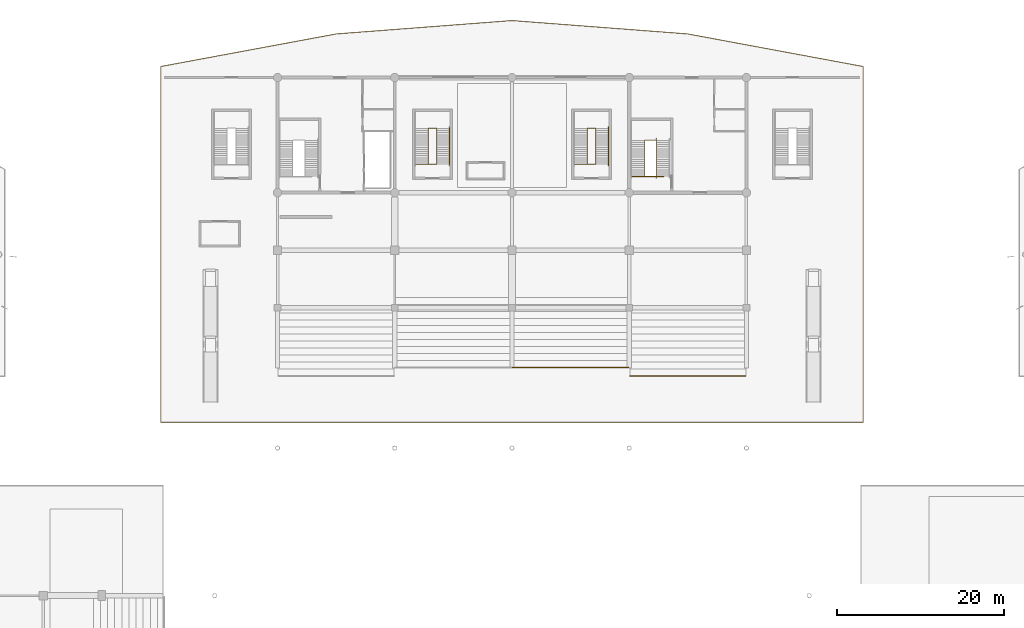
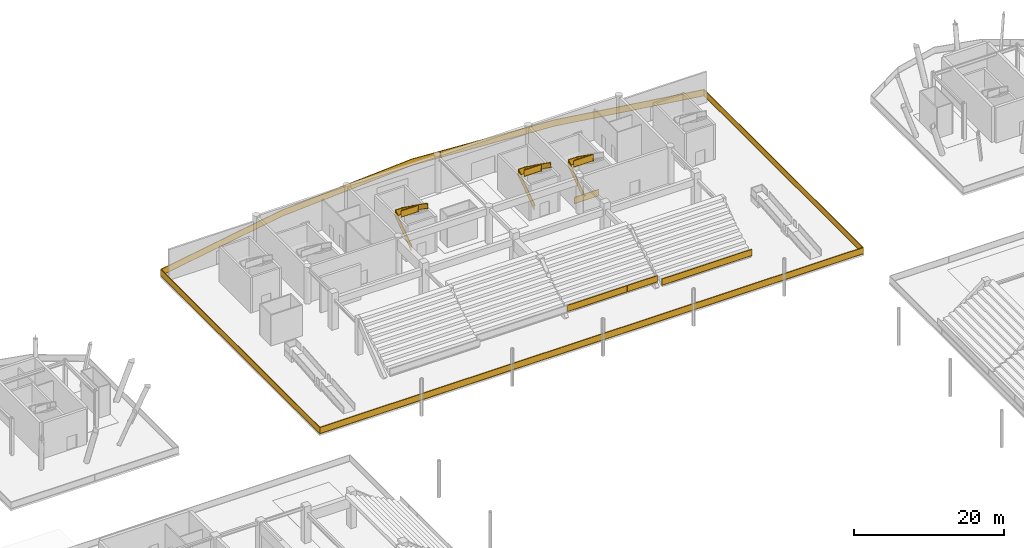
# One storey, part 70 of 73: 9 railings.
"""IFC4 building model written with IfcOpenShell, lengths in metres."""

import ifcopenshell
import ifcopenshell.guid

model = None  # the IFC model being written
_history = None  # IfcOwnerHistory: only IFC2X3 demands one
_inside = {}  # id of a spatial element -> (the spatial element, [elements in it])
_under = {}  # id of a project, library or spatial element -> (it, [spatial elements below it])
_declared = {}  # id of a project -> (the project, [libraries it declares])
_typed = {}  # id of a type object -> (the type object, [elements of that type])
_made_of = {}  # id of a material, layer set ... -> (it, [elements and type objects made of it])


def new_model(schema):
    """Start an empty IFC model of exactly this schema.

    Asked for "IFC4X3", IfcOpenShell would pick the latest addendum, in which some entities
    have other attributes; the version numbers below select the first issue.
    IFC2X3 requires an IfcOwnerHistory on every rooted entity: one is made here for all.
    """
    global model, _history
    if schema == "IFC4X3":
        model = ifcopenshell.file(schema_version=(4, 3, 0, 0))
    else:
        model = ifcopenshell.file(schema=schema)
    _inside.clear()
    _under.clear()
    _declared.clear()
    _typed.clear()
    _made_of.clear()
    _history = None
    if model.schema == "IFC2X3":
        org = make("IfcOrganization", Name="unknown")
        user = make(
            "IfcPersonAndOrganization",
            ThePerson=make("IfcPerson", FamilyName="unknown"),
            TheOrganization=org,
        )
        app = make(
            "IfcApplication",
            ApplicationDeveloper=org,
            Version="unknown",
            ApplicationFullName="unknown",
            ApplicationIdentifier="unknown",
        )
        _history = make(
            "IfcOwnerHistory",
            OwningUser=user,
            OwningApplication=app,
            ChangeAction="ADDED",
            CreationDate=0,
        )
    return model


def make(cls, **values):
    """One entity of the class cls with the attributes given. An attribute that is None is left unset."""
    return model.create_entity(
        cls, **{name: value for name, value in values.items() if value is not None}
    )


def rooted(cls, **values):
    """An entity with a GlobalId (a new one), such as an element, a storey or a relation."""
    return make(cls, GlobalId=ifcopenshell.guid.new(), OwnerHistory=_history, **values)


def si_unit(unit_type, name, prefix=None):
    """IfcSIUnit, for example si_unit("LENGTHUNIT", "METRE", prefix="MILLI")."""
    return make("IfcSIUnit", UnitType=unit_type, Prefix=prefix, Name=name)


def assignment(units):
    """IfcUnitAssignment: the units of a project."""
    return None if units is None else make("IfcUnitAssignment", Units=units)


def point(xyz):
    """IfcCartesianPoint."""
    return None if xyz is None else make("IfcCartesianPoint", Coordinates=xyz)


def direction(xyz):
    """IfcDirection."""
    return None if xyz is None else make("IfcDirection", DirectionRatios=xyz)


def frame(location, z_axis=None, x_axis=None):
    """IfcAxis2Placement3D, a coordinate frame: its origin and axes. An axis left out is left unset."""
    return make(
        "IfcAxis2Placement3D",
        Location=point(location),
        Axis=direction(z_axis),
        RefDirection=direction(x_axis),
    )


def frame_2d(location, x_axis=None):
    """IfcAxis2Placement2D, a coordinate frame in the plane: its origin and x axis."""
    return make(
        "IfcAxis2Placement2D", Location=point(location), RefDirection=direction(x_axis)
    )


def origin():
    """The frame at (0, 0, 0) with its axes left unset."""
    return frame((0.0, 0.0, 0.0))


def origin_2d():
    """The frame at (0, 0) in the plane with its x axis left unset."""
    return frame_2d((0.0, 0.0))


def place(relative_to, where):
    """IfcLocalPlacement: puts the frame where relative to a parent placement (None: the world)."""
    return make(
        "IfcLocalPlacement", PlacementRelTo=relative_to, RelativePlacement=where
    )


def context(
    kind, dimensions, precision=None, world=None, true_north=None, identifier=None
):
    """IfcGeometricRepresentationContext, for example the 3D "Model" context."""
    return make(
        "IfcGeometricRepresentationContext",
        ContextIdentifier=identifier,
        ContextType=kind,
        CoordinateSpaceDimension=dimensions,
        Precision=precision,
        WorldCoordinateSystem=world,
        TrueNorth=true_north,
    )


def subcontext(parent, identifier, kind, view, scale=None):
    """IfcGeometricRepresentationSubContext, for example "Body" below "Model"."""
    return make(
        "IfcGeometricRepresentationSubContext",
        ContextIdentifier=identifier,
        ContextType=kind,
        ParentContext=parent,
        TargetScale=scale,
        TargetView=view,
    )


def project(units=None, contexts=None):
    """IfcProject with its units and contexts."""
    return rooted(
        "IfcProject",
        Name="project",
        RepresentationContexts=contexts,
        UnitsInContext=assignment(units),
    )


def spatial(cls, under=None, at=None, **own):
    """A site, building, storey or space (cls), placed at a placement, below another one or the project."""
    s = rooted(cls, ObjectPlacement=at, **own)
    if under is not None:
        _under.setdefault(under.id(), (under, []))[1].append(s)
    return s


def profile(cls, at=None, kind="AREA", **sizes):
    """A parametric profile (cls). Its sizes go by their IFC names, for example OverallWidth=200.0."""
    return make(cls, ProfileType=kind, Position=at, **sizes)


def rectangle(**sizes):
    """IfcRectangleProfileDef."""
    return profile("IfcRectangleProfileDef", **sizes)


def extrude(swept, where, along, depth):
    """IfcExtrudedAreaSolid: the profile swept, set in the frame where, extruded along a direction by depth."""
    return make(
        "IfcExtrudedAreaSolid",
        SweptArea=swept,
        Position=where,
        ExtrudedDirection=direction(along),
        Depth=depth,
    )


def shape(context_of_items, identifier, shape_type, items):
    """IfcShapeRepresentation: the items that make up one representation, for example the "Body"."""
    return make(
        "IfcShapeRepresentation",
        ContextOfItems=context_of_items,
        RepresentationIdentifier=identifier,
        RepresentationType=shape_type,
        Items=items,
    )


def material(Name=None, Category=None):
    """IfcMaterial."""
    return make("IfcMaterial", Name=Name, Category=Category)


def made_of(thing, what):
    """Note that an element or type object is made of a material, layer set ...; save() writes the relation."""
    if what is not None:
        _made_of.setdefault(what.id(), (what, []))[1].append(thing)
    return thing


def type_object(cls, material=None, **own):
    """A type object (cls), such as IfcWallType, which elements share."""
    return made_of(rooted(cls, **own), material)


def element(
    cls,
    number,
    at=None,
    inside=None,
    cuts=None,
    type_object=None,
    material=None,
    context=None,
    identifier="Body",
    shape_type=None,
    held_by="IfcProductDefinitionShape",
    body=None,
    shapes=None,
    **own,
):
    """One element of the class cls, such as IfcWall. Its Tag is "e" and its number.

    at: its placement. inside: the storey or other place that contains it. cuts: it is an
    opening in that element (IfcRelVoidsElement). A single representation is given by context,
    identifier, shape_type and body (its items); several are given by shapes. held_by: the class
    of the entity that holds the representations. save() writes the other relations.
    """
    e = rooted(cls, Tag="e%d" % number, ObjectPlacement=at, **own)
    if body is not None:
        shapes = [shape(context, identifier, shape_type, body)]
    if shapes is not None:
        e.Representation = make(held_by, Representations=shapes)
    if inside is not None:
        _inside.setdefault(inside.id(), (inside, []))[1].append(e)
    if cuts is not None:
        rooted(
            "IfcRelVoidsElement", RelatingBuildingElement=cuts, RelatedOpeningElement=e
        )
    if type_object is not None:
        _typed.setdefault(type_object.id(), (type_object, []))[1].append(e)
    return made_of(e, material)


def aggregate(whole, parts):
    """IfcRelAggregates: a whole, such as a stair, and the parts it consists of."""
    return rooted("IfcRelAggregates", RelatingObject=whole, RelatedObjects=parts)


def save(model, path):
    """Write the relations noted so far, then the file.

    IfcRelAggregates (storeys below a building ...), IfcRelContainedInSpatialStructure (elements
    in a storey), IfcRelDefinesByType, IfcRelAssociatesMaterial and IfcRelDeclares: one each for
    every whole, place, type object, material and project.
    """
    for whole, parts in _under.values():
        aggregate(whole, parts)
    for where, things in _inside.values():
        rooted(
            "IfcRelContainedInSpatialStructure",
            RelatedElements=things,
            RelatingStructure=where,
        )
    for kind, things in _typed.values():
        rooted("IfcRelDefinesByType", RelatedObjects=things, RelatingType=kind)
    for what, things in _made_of.values():
        rooted("IfcRelAssociatesMaterial", RelatedObjects=things, RelatingMaterial=what)
    for by, libraries in _declared.values():
        rooted("IfcRelDeclares", RelatingContext=by, RelatedDefinitions=libraries)
    model.write(path)


model = new_model("IFC4")

# Units and contexts
model_context = context("Model", 3, precision=1e-05, world=origin(), true_north=direction((0.0, 1.0)))
body_context = subcontext(model_context, "Body", "Model", "MODEL_VIEW")
ifc_project = project(units=[si_unit("LENGTHUNIT", "METRE"), si_unit("AREAUNIT", "SQUARE_METRE"), si_unit("VOLUMEUNIT", "CUBIC_METRE"), si_unit("PLANEANGLEUNIT", "RADIAN"), si_unit("MASSUNIT", "GRAM", prefix="KILO")], contexts=[model_context])

# Site, building, storey
site_placement = place(None, origin())
site = spatial("IfcSite", under=ifc_project, at=site_placement, CompositionType="ELEMENT")
building_placement = place(site_placement, origin())
building = spatial("IfcBuilding", under=site, at=building_placement, Name="Linyun Crest Stadium", CompositionType="ELEMENT")
storey_placement = place(building_placement, origin())
storey = spatial("IfcBuildingStorey", under=building, at=storey_placement, Name="L01", CompositionType="ELEMENT", Elevation=0.0)

# Railings
ifc_material_1 = material(Name="Galvanized and powder-coated steel bowl safety barrier", Category="steel")
railing_type_1 = type_object("IfcRailingType", Name="GR02", PredefinedType="GUARDRAIL", material=ifc_material_1)
for number, where, name in (
    (1, (0.080078125, 70.60009765625, 1.25), "Bowl front safety guard GR02 71"),
    (2, (14.080078125, 69.60009765625, 1.25), "Bowl front safety guard GR02 78"),
):
    element("IfcRailing", number, at=place(storey_placement, frame(where)), inside=storey, type_object=railing_type_1, Name=name, PredefinedType="GUARDRAIL", context=body_context, shape_type="SweptSolid", body=[
        extrude(rectangle(XDim=0.06005859375, YDim=0.06005859375, at=origin_2d()), frame((0.0, 0.0, 1.090087890625), z_axis=(1.0, 0.0, 0.0), x_axis=(0.0, 1.0, 0.0)), (0.0, 0.0, 1.0), 13.83984375),
        extrude(rectangle(XDim=0.030029296875, YDim=1.0, at=origin_2d()), frame((0.0, 0.0, 0.56005859375), z_axis=(1.0, 0.0, 0.0), x_axis=(0.0, 1.0, 0.0)), (0.0, 0.0, 1.0), 13.83984375),
        extrude(rectangle(XDim=0.06005859375, YDim=0.06005859375, at=origin_2d()), frame((0.0, 0.0, 0.030029296875), z_axis=(1.0, 0.0, 0.0), x_axis=(0.0, 1.0, 0.0)), (0.0, 0.0, 1.0), 13.83984375),
        extrude(rectangle(XDim=0.050048828125, YDim=0.050048828125, at=origin_2d()), origin(), (0.0, 0.0, 1.0), 1.1201171875),
        extrude(rectangle(XDim=0.050048828125, YDim=0.050048828125, at=origin_2d()), frame((2.306640625, 0.0, 0.0)), (0.0, 0.0, 1.0), 1.1201171875),
        extrude(rectangle(XDim=0.050048828125, YDim=0.050048828125, at=origin_2d()), frame((4.61328125, 0.0, 0.0)), (0.0, 0.0, 1.0), 1.1201171875),
        extrude(rectangle(XDim=0.050048828125, YDim=0.050048828125, at=origin_2d()), frame((6.919921875, 0.0, 0.0)), (0.0, 0.0, 1.0), 1.1201171875),
        extrude(rectangle(XDim=0.050048828125, YDim=0.050048828125, at=origin_2d()), frame((9.2265625, 0.0, 0.0)), (0.0, 0.0, 1.0), 1.1201171875),
        extrude(rectangle(XDim=0.050048828125, YDim=0.050048828125, at=origin_2d()), frame((11.533203125, 0.0, 0.0)), (0.0, 0.0, 1.0), 1.1201171875),
        extrude(rectangle(XDim=0.050048828125, YDim=0.050048828125, at=origin_2d()), frame((13.83984375, 0.0, 0.0)), (0.0, 0.0, 1.0), 1.1201171875),
    ])
railing_1_placement = place(storey_placement, frame((-41.93994140625, 64.06005859375, 0.0)))
element("IfcRailing", 3, at=railing_1_placement, inside=storey, type_object=railing_type_1, Name="Slab edge balustrade GR02 191", PredefinedType="GUARDRAIL", context=body_context, shape_type="SweptSolid", body=[
    extrude(rectangle(XDim=0.06005859375, YDim=0.06005859375, at=origin_2d()), frame((0.0, 0.0, 1.090087890625), z_axis=(0.0, 1.0, 0.0), x_axis=(-1.0, 0.0, 0.0)), (0.0, 0.0, 1.0), 42.514892578125),
    extrude(rectangle(XDim=0.030029296875, YDim=1.0, at=origin_2d()), frame((0.0, 0.0, 0.56005859375), z_axis=(0.0, 1.0, 0.0), x_axis=(-1.0, 0.0, 0.0)), (0.0, 0.0, 1.0), 42.514892578125),
    extrude(rectangle(XDim=0.06005859375, YDim=0.06005859375, at=origin_2d()), frame((0.0, 0.0, 0.030029296875), z_axis=(0.0, 1.0, 0.0), x_axis=(-1.0, 0.0, 0.0)), (0.0, 0.0, 1.0), 42.514892578125),
    extrude(rectangle(XDim=0.06005859375, YDim=0.06005859375, at=origin_2d()), frame((0.0, 42.514892578125, 1.090087890625), z_axis=(0.983190469869, 0.182582857789, 0.0), x_axis=(-0.182582857789, 0.983190469869, 0.0)), (0.0, 0.0, 1.0), 21.30615234375),
    extrude(rectangle(XDim=0.030029296875, YDim=1.0, at=origin_2d()), frame((0.0, 42.514892578125, 0.56005859375), z_axis=(0.983190469869, 0.182582857789, 0.0), x_axis=(-0.182582857789, 0.983190469869, 0.0)), (0.0, 0.0, 1.0), 21.30615234375),
    extrude(rectangle(XDim=0.06005859375, YDim=0.06005859375, at=origin_2d()), frame((0.0, 42.514892578125, 0.030029296875), z_axis=(0.983190469869, 0.182582857789, 0.0), x_axis=(-0.182582857789, 0.983190469869, 0.0)), (0.0, 0.0, 1.0), 21.30615234375),
    extrude(rectangle(XDim=0.06005859375, YDim=0.06005859375, at=origin_2d()), frame((20.947998046875, 46.405029296875, 1.090087890625), z_axis=(0.997108399711, 0.075992362947, 0.0), x_axis=(-0.075992362947, 0.997108399711, 0.0)), (0.0, 0.0, 1.0), 21.052734375),
    extrude(rectangle(XDim=0.030029296875, YDim=1.0, at=origin_2d()), frame((20.947998046875, 46.405029296875, 0.56005859375), z_axis=(0.997108399711, 0.075992362947, 0.0), x_axis=(-0.075992362947, 0.997108399711, 0.0)), (0.0, 0.0, 1.0), 21.052734375),
    extrude(rectangle(XDim=0.06005859375, YDim=0.06005859375, at=origin_2d()), frame((20.947998046875, 46.405029296875, 0.030029296875), z_axis=(0.997108399711, 0.075992362947, 0.0), x_axis=(-0.075992362947, 0.997108399711, 0.0)), (0.0, 0.0, 1.0), 21.052734375),
    extrude(rectangle(XDim=0.06005859375, YDim=0.06005859375, at=origin_2d()), frame((41.93994140625, 48.0048828125, 1.090087890625), z_axis=(0.997108399711, -0.075992362947, 0.0), x_axis=(0.075992362947, 0.997108399711, 0.0)), (0.0, 0.0, 1.0), 21.052734375),
    extrude(rectangle(XDim=0.030029296875, YDim=1.0, at=origin_2d()), frame((41.93994140625, 48.0048828125, 0.56005859375), z_axis=(0.997108399711, -0.075992362947, 0.0), x_axis=(0.075992362947, 0.997108399711, 0.0)), (0.0, 0.0, 1.0), 21.052734375),
    extrude(rectangle(XDim=0.06005859375, YDim=0.06005859375, at=origin_2d()), frame((41.93994140625, 48.0048828125, 0.030029296875), z_axis=(0.997108399711, -0.075992362947, 0.0), x_axis=(0.075992362947, 0.997108399711, 0.0)), (0.0, 0.0, 1.0), 21.052734375),
    extrude(rectangle(XDim=0.06005859375, YDim=0.06005859375, at=origin_2d()), frame((62.931884765625, 46.405029296875, 1.090087890625), z_axis=(0.983190469869, -0.182582857789, 0.0), x_axis=(0.182582857789, 0.983190469869, 0.0)), (0.0, 0.0, 1.0), 21.30615234375),
    extrude(rectangle(XDim=0.030029296875, YDim=1.0, at=origin_2d()), frame((62.931884765625, 46.405029296875, 0.56005859375), z_axis=(0.983190469869, -0.182582857789, 0.0), x_axis=(0.182582857789, 0.983190469869, 0.0)), (0.0, 0.0, 1.0), 21.30615234375),
    extrude(rectangle(XDim=0.06005859375, YDim=0.06005859375, at=origin_2d()), frame((62.931884765625, 46.405029296875, 0.030029296875), z_axis=(0.983190469869, -0.182582857789, 0.0), x_axis=(0.182582857789, 0.983190469869, 0.0)), (0.0, 0.0, 1.0), 21.30615234375),
    extrude(rectangle(XDim=0.06005859375, YDim=0.06005859375, at=origin_2d()), frame((83.8798828125, 42.514892578125, 1.090087890625), z_axis=(0.0, -1.0, 0.0), x_axis=(1.0, 0.0, 0.0)), (0.0, 0.0, 1.0), 42.514892578125),
    extrude(rectangle(XDim=0.030029296875, YDim=1.0, at=origin_2d()), frame((83.8798828125, 42.514892578125, 0.56005859375), z_axis=(0.0, -1.0, 0.0), x_axis=(1.0, 0.0, 0.0)), (0.0, 0.0, 1.0), 42.514892578125),
    extrude(rectangle(XDim=0.06005859375, YDim=0.06005859375, at=origin_2d()), frame((83.8798828125, 42.514892578125, 0.030029296875), z_axis=(0.0, -1.0, 0.0), x_axis=(1.0, 0.0, 0.0)), (0.0, 0.0, 1.0), 42.514892578125),
    extrude(rectangle(XDim=0.06005859375, YDim=0.06005859375, at=origin_2d()), frame((83.8798828125, 0.0, 1.090087890625), z_axis=(-1.0, 0.0, 0.0), x_axis=(0.0, -1.0, 0.0)), (0.0, 0.0, 1.0), 83.8798828125),
    extrude(rectangle(XDim=0.030029296875, YDim=1.0, at=origin_2d()), frame((83.8798828125, 0.0, 0.56005859375), z_axis=(-1.0, 0.0, 0.0), x_axis=(0.0, -1.0, 0.0)), (0.0, 0.0, 1.0), 83.8798828125),
    extrude(rectangle(XDim=0.06005859375, YDim=0.06005859375, at=origin_2d()), frame((83.8798828125, 0.0, 0.030029296875), z_axis=(-1.0, 0.0, 0.0), x_axis=(0.0, -1.0, 0.0)), (0.0, 0.0, 1.0), 83.8798828125),
    extrude(rectangle(XDim=0.050048828125, YDim=0.050048828125, at=origin_2d()), origin(), (0.0, 0.0, 1.0), 1.1201171875),
    extrude(rectangle(XDim=0.050048828125, YDim=0.050048828125, at=origin_2d()), frame((0.0, 4.723876953125, 0.0)), (0.0, 0.0, 1.0), 1.1201171875),
    extrude(rectangle(XDim=0.050048828125, YDim=0.050048828125, at=origin_2d()), frame((0.0, 9.44775390625, 0.0)), (0.0, 0.0, 1.0), 1.1201171875),
    extrude(rectangle(XDim=0.050048828125, YDim=0.050048828125, at=origin_2d()), frame((0.0, 14.171630859375, 0.0)), (0.0, 0.0, 1.0), 1.1201171875),
    extrude(rectangle(XDim=0.050048828125, YDim=0.050048828125, at=origin_2d()), frame((0.0, 18.8955078125, 0.0)), (0.0, 0.0, 1.0), 1.1201171875),
    extrude(rectangle(XDim=0.050048828125, YDim=0.050048828125, at=origin_2d()), frame((0.0, 23.619384765625, 0.0)), (0.0, 0.0, 1.0), 1.1201171875),
    extrude(rectangle(XDim=0.050048828125, YDim=0.050048828125, at=origin_2d()), frame((0.0, 28.34326171875, 0.0)), (0.0, 0.0, 1.0), 1.1201171875),
    extrude(rectangle(XDim=0.050048828125, YDim=0.050048828125, at=origin_2d()), frame((0.0, 33.067138671875, 0.0)), (0.0, 0.0, 1.0), 1.1201171875),
    extrude(rectangle(XDim=0.050048828125, YDim=0.050048828125, at=origin_2d()), frame((0.0, 37.791015625, 0.0)), (0.0, 0.0, 1.0), 1.1201171875),
    extrude(rectangle(XDim=0.050048828125, YDim=0.050048828125, at=origin_2d()), frame((0.0, 42.514892578125, 0.0)), (0.0, 0.0, 1.0), 1.1201171875),
    extrude(rectangle(XDim=0.050048828125, YDim=0.050048828125, at=origin_2d()), frame((4.189697265625, 43.29296875, 0.0)), (0.0, 0.0, 1.0), 1.1201171875),
    extrude(rectangle(XDim=0.050048828125, YDim=0.050048828125, at=origin_2d()), frame((8.379150390625, 44.071044921875, 0.0)), (0.0, 0.0, 1.0), 1.1201171875),
    extrude(rectangle(XDim=0.050048828125, YDim=0.050048828125, at=origin_2d()), frame((12.56884765625, 44.848876953125, 0.0)), (0.0, 0.0, 1.0), 1.1201171875),
    extrude(rectangle(XDim=0.050048828125, YDim=0.050048828125, at=origin_2d()), frame((16.75830078125, 45.626953125, 0.0)), (0.0, 0.0, 1.0), 1.1201171875),
    extrude(rectangle(XDim=0.050048828125, YDim=0.050048828125, at=origin_2d()), frame((20.947998046875, 46.405029296875, 0.0)), (0.0, 0.0, 1.0), 1.1201171875),
    extrude(rectangle(XDim=0.050048828125, YDim=0.050048828125, at=origin_2d()), frame((25.146484375, 46.72509765625, 0.0)), (0.0, 0.0, 1.0), 1.1201171875),
    extrude(rectangle(XDim=0.050048828125, YDim=0.050048828125, at=origin_2d()), frame((29.3447265625, 47.044921875, 0.0)), (0.0, 0.0, 1.0), 1.1201171875),
    extrude(rectangle(XDim=0.050048828125, YDim=0.050048828125, at=origin_2d()), frame((33.543212890625, 47.364990234375, 0.0)), (0.0, 0.0, 1.0), 1.1201171875),
    extrude(rectangle(XDim=0.050048828125, YDim=0.050048828125, at=origin_2d()), frame((37.741455078125, 47.684814453125, 0.0)), (0.0, 0.0, 1.0), 1.1201171875),
    extrude(rectangle(XDim=0.050048828125, YDim=0.050048828125, at=origin_2d()), frame((41.93994140625, 48.0048828125, 0.0)), (0.0, 0.0, 1.0), 1.1201171875),
    extrude(rectangle(XDim=0.050048828125, YDim=0.050048828125, at=origin_2d()), frame((46.138427734375, 47.684814453125, 0.0)), (0.0, 0.0, 1.0), 1.1201171875),
    extrude(rectangle(XDim=0.050048828125, YDim=0.050048828125, at=origin_2d()), frame((50.336669921875, 47.364990234375, 0.0)), (0.0, 0.0, 1.0), 1.1201171875),
    extrude(rectangle(XDim=0.050048828125, YDim=0.050048828125, at=origin_2d()), frame((54.53515625, 47.044921875, 0.0)), (0.0, 0.0, 1.0), 1.1201171875),
    extrude(rectangle(XDim=0.050048828125, YDim=0.050048828125, at=origin_2d()), frame((58.7333984375, 46.72509765625, 0.0)), (0.0, 0.0, 1.0), 1.1201171875),
    extrude(rectangle(XDim=0.050048828125, YDim=0.050048828125, at=origin_2d()), frame((62.931884765625, 46.405029296875, 0.0)), (0.0, 0.0, 1.0), 1.1201171875),
    extrude(rectangle(XDim=0.050048828125, YDim=0.050048828125, at=origin_2d()), frame((67.12158203125, 45.626953125, 0.0)), (0.0, 0.0, 1.0), 1.1201171875),
    extrude(rectangle(XDim=0.050048828125, YDim=0.050048828125, at=origin_2d()), frame((71.31103515625, 44.848876953125, 0.0)), (0.0, 0.0, 1.0), 1.1201171875),
    extrude(rectangle(XDim=0.050048828125, YDim=0.050048828125, at=origin_2d()), frame((75.500732421875, 44.071044921875, 0.0)), (0.0, 0.0, 1.0), 1.1201171875),
    extrude(rectangle(XDim=0.050048828125, YDim=0.050048828125, at=origin_2d()), frame((79.690185546875, 43.29296875, 0.0)), (0.0, 0.0, 1.0), 1.1201171875),
    extrude(rectangle(XDim=0.050048828125, YDim=0.050048828125, at=origin_2d()), frame((83.8798828125, 42.514892578125, 0.0)), (0.0, 0.0, 1.0), 1.1201171875),
    extrude(rectangle(XDim=0.050048828125, YDim=0.050048828125, at=origin_2d()), frame((83.8798828125, 37.791015625, 0.0)), (0.0, 0.0, 1.0), 1.1201171875),
    extrude(rectangle(XDim=0.050048828125, YDim=0.050048828125, at=origin_2d()), frame((83.8798828125, 33.067138671875, 0.0)), (0.0, 0.0, 1.0), 1.1201171875),
    extrude(rectangle(XDim=0.050048828125, YDim=0.050048828125, at=origin_2d()), frame((83.8798828125, 28.34326171875, 0.0)), (0.0, 0.0, 1.0), 1.1201171875),
    extrude(rectangle(XDim=0.050048828125, YDim=0.050048828125, at=origin_2d()), frame((83.8798828125, 23.619384765625, 0.0)), (0.0, 0.0, 1.0), 1.1201171875),
    extrude(rectangle(XDim=0.050048828125, YDim=0.050048828125, at=origin_2d()), frame((83.8798828125, 18.8955078125, 0.0)), (0.0, 0.0, 1.0), 1.1201171875),
    extrude(rectangle(XDim=0.050048828125, YDim=0.050048828125, at=origin_2d()), frame((83.8798828125, 14.171630859375, 0.0)), (0.0, 0.0, 1.0), 1.1201171875),
    extrude(rectangle(XDim=0.050048828125, YDim=0.050048828125, at=origin_2d()), frame((83.8798828125, 9.44775390625, 0.0)), (0.0, 0.0, 1.0), 1.1201171875),
    extrude(rectangle(XDim=0.050048828125, YDim=0.050048828125, at=origin_2d()), frame((83.8798828125, 4.723876953125, 0.0)), (0.0, 0.0, 1.0), 1.1201171875),
    extrude(rectangle(XDim=0.050048828125, YDim=0.050048828125, at=origin_2d()), frame((83.8798828125, 0.0, 0.0)), (0.0, 0.0, 1.0), 1.1201171875),
    extrude(rectangle(XDim=0.050048828125, YDim=0.050048828125, at=origin_2d()), frame((79.219970703125, 0.0, 0.0)), (0.0, 0.0, 1.0), 1.1201171875),
    extrude(rectangle(XDim=0.050048828125, YDim=0.050048828125, at=origin_2d()), frame((74.559814453125, 0.0, 0.0)), (0.0, 0.0, 1.0), 1.1201171875),
    extrude(rectangle(XDim=0.050048828125, YDim=0.050048828125, at=origin_2d()), frame((69.89990234375, 0.0, 0.0)), (0.0, 0.0, 1.0), 1.1201171875),
    extrude(rectangle(XDim=0.050048828125, YDim=0.050048828125, at=origin_2d()), frame((65.239990234375, 0.0, 0.0)), (0.0, 0.0, 1.0), 1.1201171875),
    extrude(rectangle(XDim=0.050048828125, YDim=0.050048828125, at=origin_2d()), frame((60.579833984375, 0.0, 0.0)), (0.0, 0.0, 1.0), 1.1201171875),
    extrude(rectangle(XDim=0.050048828125, YDim=0.050048828125, at=origin_2d()), frame((55.919921875, 0.0, 0.0)), (0.0, 0.0, 1.0), 1.1201171875),
    extrude(rectangle(XDim=0.050048828125, YDim=0.050048828125, at=origin_2d()), frame((51.260009765625, 0.0, 0.0)), (0.0, 0.0, 1.0), 1.1201171875),
    extrude(rectangle(XDim=0.050048828125, YDim=0.050048828125, at=origin_2d()), frame((46.599853515625, 0.0, 0.0)), (0.0, 0.0, 1.0), 1.1201171875),
    extrude(rectangle(XDim=0.050048828125, YDim=0.050048828125, at=origin_2d()), frame((41.93994140625, 0.0, 0.0)), (0.0, 0.0, 1.0), 1.1201171875),
    extrude(rectangle(XDim=0.050048828125, YDim=0.050048828125, at=origin_2d()), frame((37.280029296875, 0.0, 0.0)), (0.0, 0.0, 1.0), 1.1201171875),
    extrude(rectangle(XDim=0.050048828125, YDim=0.050048828125, at=origin_2d()), frame((32.619873046875, 0.0, 0.0)), (0.0, 0.0, 1.0), 1.1201171875),
    extrude(rectangle(XDim=0.050048828125, YDim=0.050048828125, at=origin_2d()), frame((27.9599609375, 0.0, 0.0)), (0.0, 0.0, 1.0), 1.1201171875),
    extrude(rectangle(XDim=0.050048828125, YDim=0.050048828125, at=origin_2d()), frame((23.300048828125, 0.0, 0.0)), (0.0, 0.0, 1.0), 1.1201171875),
    extrude(rectangle(XDim=0.050048828125, YDim=0.050048828125, at=origin_2d()), frame((18.639892578125, 0.0, 0.0)), (0.0, 0.0, 1.0), 1.1201171875),
    extrude(rectangle(XDim=0.050048828125, YDim=0.050048828125, at=origin_2d()), frame((13.97998046875, 0.0, 0.0)), (0.0, 0.0, 1.0), 1.1201171875),
    extrude(rectangle(XDim=0.050048828125, YDim=0.050048828125, at=origin_2d()), frame((9.320068359375, 0.0, 0.0)), (0.0, 0.0, 1.0), 1.1201171875),
    extrude(rectangle(XDim=0.050048828125, YDim=0.050048828125, at=origin_2d()), frame((4.659912109375, 0.0, 0.0)), (0.0, 0.0, 1.0), 1.1201171875),
])
railing_2_placement = place(storey_placement, frame((14.340087890625, 93.4599609375, 0.0)))
element("IfcRailing", 4, at=railing_2_placement, inside=storey, type_object=railing_type_1, Name="Slab edge balustrade GR02 193", PredefinedType="GUARDRAIL", context=body_context, shape_type="SweptSolid", body=[
    extrude(rectangle(XDim=0.06005859375, YDim=0.06005859375, at=origin_2d()), frame((0.0, 0.0, 1.090087890625), z_axis=(1.0, 0.0, 0.0), x_axis=(0.0, 1.0, 0.0)), (0.0, 0.0, 1.0), 3.760009765625),
    extrude(rectangle(XDim=0.030029296875, YDim=1.0, at=origin_2d()), frame((0.0, 0.0, 0.56005859375), z_axis=(1.0, 0.0, 0.0), x_axis=(0.0, 1.0, 0.0)), (0.0, 0.0, 1.0), 3.760009765625),
    extrude(rectangle(XDim=0.06005859375, YDim=0.06005859375, at=origin_2d()), frame((0.0, 0.0, 0.030029296875), z_axis=(1.0, 0.0, 0.0), x_axis=(0.0, 1.0, 0.0)), (0.0, 0.0, 1.0), 3.760009765625),
    extrude(rectangle(XDim=0.050048828125, YDim=0.050048828125, at=origin_2d()), origin(), (0.0, 0.0, 1.0), 1.1201171875),
    extrude(rectangle(XDim=0.050048828125, YDim=0.050048828125, at=origin_2d()), frame((3.760009765625, 0.0, 0.0)), (0.0, 0.0, 1.0), 1.1201171875),
])
ifc_material_2 = material(Name="Painted steel stairwell safety guard", Category="steel")
railing_type_2 = type_object("IfcRailingType", Name="GR03", PredefinedType="GUARDRAIL", material=ifc_material_2)
railing_3_placement = place(storey_placement, frame((15.8701171875, 93.469970703125, 0.0)))
element("IfcRailing", 5, at=railing_3_placement, inside=storey, type_object=railing_type_2, Name="STR-08-L01 inner well guard", PredefinedType="GUARDRAIL", context=body_context, shape_type="SweptSolid", body=[
    extrude(rectangle(XDim=0.06005859375, YDim=0.06005859375, at=origin_2d()), frame((0.0, 0.0, 1.090087890625), z_axis=(0.0, 0.818241657069, 0.574874412926), x_axis=(-1.0, 0.0, 0.0)), (0.0, 0.0, 1.0), 5.218505859375),
    extrude(rectangle(XDim=0.030029296875, YDim=1.0, at=origin_2d()), frame((0.0, 0.0, 0.56005859375), z_axis=(0.0, 0.818241657069, 0.574874412926), x_axis=(-1.0, 0.0, 0.0)), (0.0, 0.0, 1.0), 5.218505859375),
    extrude(rectangle(XDim=0.06005859375, YDim=0.06005859375, at=origin_2d()), frame((0.0, 0.0, 0.030029296875), z_axis=(0.0, 0.818241657069, 0.574874412926), x_axis=(-1.0, 0.0, 0.0)), (0.0, 0.0, 1.0), 5.218505859375),
    extrude(rectangle(XDim=0.06005859375, YDim=0.06005859375, at=origin_2d()), frame((0.0, 4.27001953125, 4.090087890625), z_axis=(1.0, 0.0, 0.0), x_axis=(0.0, 1.0, 0.0)), (0.0, 0.0, 1.0), 1.35986328125),
    extrude(rectangle(XDim=0.030029296875, YDim=1.0, at=origin_2d()), frame((0.0, 4.27001953125, 3.56005859375), z_axis=(1.0, 0.0, 0.0), x_axis=(0.0, 1.0, 0.0)), (0.0, 0.0, 1.0), 1.35986328125),
    extrude(rectangle(XDim=0.06005859375, YDim=0.06005859375, at=origin_2d()), frame((0.0, 4.27001953125, 3.030029296875), z_axis=(1.0, 0.0, 0.0), x_axis=(0.0, 1.0, 0.0)), (0.0, 0.0, 1.0), 1.35986328125),
    extrude(rectangle(XDim=0.06005859375, YDim=0.06005859375, at=origin_2d()), frame((1.35986328125, 4.27001953125, 4.090087890625), z_axis=(0.0, -0.818241657069, 0.574874412926), x_axis=(1.0, 0.0, 0.0)), (0.0, 0.0, 1.0), 5.218505859375),
    extrude(rectangle(XDim=0.030029296875, YDim=1.0, at=origin_2d()), frame((1.35986328125, 4.27001953125, 3.56005859375), z_axis=(0.0, -0.818241657069, 0.574874412926), x_axis=(1.0, 0.0, 0.0)), (0.0, 0.0, 1.0), 5.218505859375),
    extrude(rectangle(XDim=0.06005859375, YDim=0.06005859375, at=origin_2d()), frame((1.35986328125, 4.27001953125, 3.030029296875), z_axis=(0.0, -0.818241657069, 0.574874412926), x_axis=(1.0, 0.0, 0.0)), (0.0, 0.0, 1.0), 5.218505859375),
    extrude(rectangle(XDim=0.06005859375, YDim=0.06005859375, at=origin_2d()), frame((1.35986328125, 0.0, 7.090087890625), z_axis=(-1.0, 0.0, 0.0), x_axis=(0.0, -1.0, 0.0)), (0.0, 0.0, 1.0), 3.010009765625),
    extrude(rectangle(XDim=0.030029296875, YDim=1.0, at=origin_2d()), frame((1.35986328125, 0.0, 6.56005859375), z_axis=(-1.0, 0.0, 0.0), x_axis=(0.0, -1.0, 0.0)), (0.0, 0.0, 1.0), 3.010009765625),
    extrude(rectangle(XDim=0.06005859375, YDim=0.06005859375, at=origin_2d()), frame((1.35986328125, 0.0, 6.030029296875), z_axis=(-1.0, 0.0, 0.0), x_axis=(0.0, -1.0, 0.0)), (0.0, 0.0, 1.0), 3.010009765625),
    extrude(rectangle(XDim=0.050048828125, YDim=0.050048828125, at=origin_2d()), origin(), (0.0, 0.0, 1.0), 1.1201171875),
    extrude(rectangle(XDim=0.050048828125, YDim=0.050048828125, at=origin_2d()), frame((0.0, 1.42333984375, 1.0)), (0.0, 0.0, 1.0), 1.1201171875),
    extrude(rectangle(XDim=0.050048828125, YDim=0.050048828125, at=origin_2d()), frame((0.0, 2.8466796875, 2.0)), (0.0, 0.0, 1.0), 1.1201171875),
    extrude(rectangle(XDim=0.050048828125, YDim=0.050048828125, at=origin_2d()), frame((0.0, 4.27001953125, 3.0)), (0.0, 0.0, 1.0), 1.1201171875),
    extrude(rectangle(XDim=0.050048828125, YDim=0.050048828125, at=origin_2d()), frame((1.35986328125, 4.27001953125, 3.0)), (0.0, 0.0, 1.0), 1.1201171875),
    extrude(rectangle(XDim=0.050048828125, YDim=0.050048828125, at=origin_2d()), frame((1.35986328125, 2.8466796875, 4.0)), (0.0, 0.0, 1.0), 1.1201171875),
    extrude(rectangle(XDim=0.050048828125, YDim=0.050048828125, at=origin_2d()), frame((1.35986328125, 1.42333984375, 5.0)), (0.0, 0.0, 1.0), 1.1201171875),
    extrude(rectangle(XDim=0.050048828125, YDim=0.050048828125, at=origin_2d()), frame((1.35986328125, 0.0, 6.0)), (0.0, 0.0, 1.0), 1.1201171875),
    extrude(rectangle(XDim=0.050048828125, YDim=0.050048828125, at=origin_2d()), frame((-0.14501953125, 0.0, 6.0)), (0.0, 0.0, 1.0), 1.1201171875),
    extrude(rectangle(XDim=0.050048828125, YDim=0.050048828125, at=origin_2d()), frame((-1.650146484375, 0.0, 6.0)), (0.0, 0.0, 1.0), 1.1201171875),
])
railing_4_placement = place(storey_placement, frame((-10.030029296875, 94.89990234375, 0.0)))
element("IfcRailing", 6, at=railing_4_placement, inside=storey, type_object=railing_type_2, Name="STR-24-L01 inner well guard", PredefinedType="GUARDRAIL", context=body_context, shape_type="SweptSolid", body=[
    extrude(rectangle(XDim=0.06005859375, YDim=0.06005859375, at=origin_2d()), frame((0.0, 0.0, 1.090087890625), z_axis=(0.0, 0.818241657069, 0.574874412926), x_axis=(-1.0, 0.0, 0.0)), (0.0, 0.0, 1.0), 5.218505859375),
    extrude(rectangle(XDim=0.030029296875, YDim=1.0, at=origin_2d()), frame((0.0, 0.0, 0.56005859375), z_axis=(0.0, 0.818241657069, 0.574874412926), x_axis=(-1.0, 0.0, 0.0)), (0.0, 0.0, 1.0), 5.218505859375),
    extrude(rectangle(XDim=0.06005859375, YDim=0.06005859375, at=origin_2d()), frame((0.0, 0.0, 0.030029296875), z_axis=(0.0, 0.818241657069, 0.574874412926), x_axis=(-1.0, 0.0, 0.0)), (0.0, 0.0, 1.0), 5.218505859375),
    extrude(rectangle(XDim=0.06005859375, YDim=0.06005859375, at=origin_2d()), frame((0.0, 4.27001953125, 4.090087890625), z_axis=(1.0, 0.0, 0.0), x_axis=(0.0, 1.0, 0.0)), (0.0, 0.0, 1.0), 1.06005859375),
    extrude(rectangle(XDim=0.030029296875, YDim=1.0, at=origin_2d()), frame((0.0, 4.27001953125, 3.56005859375), z_axis=(1.0, 0.0, 0.0), x_axis=(0.0, 1.0, 0.0)), (0.0, 0.0, 1.0), 1.06005859375),
    extrude(rectangle(XDim=0.06005859375, YDim=0.06005859375, at=origin_2d()), frame((0.0, 4.27001953125, 3.030029296875), z_axis=(1.0, 0.0, 0.0), x_axis=(0.0, 1.0, 0.0)), (0.0, 0.0, 1.0), 1.06005859375),
    extrude(rectangle(XDim=0.06005859375, YDim=0.06005859375, at=origin_2d()), frame((1.06005859375, 4.27001953125, 4.090087890625), z_axis=(0.0, -0.818241657069, 0.574874412926), x_axis=(1.0, 0.0, 0.0)), (0.0, 0.0, 1.0), 5.218505859375),
    extrude(rectangle(XDim=0.030029296875, YDim=1.0, at=origin_2d()), frame((1.06005859375, 4.27001953125, 3.56005859375), z_axis=(0.0, -0.818241657069, 0.574874412926), x_axis=(1.0, 0.0, 0.0)), (0.0, 0.0, 1.0), 5.218505859375),
    extrude(rectangle(XDim=0.06005859375, YDim=0.06005859375, at=origin_2d()), frame((1.06005859375, 4.27001953125, 3.030029296875), z_axis=(0.0, -0.818241657069, 0.574874412926), x_axis=(1.0, 0.0, 0.0)), (0.0, 0.0, 1.0), 5.218505859375),
    extrude(rectangle(XDim=0.06005859375, YDim=0.06005859375, at=origin_2d()), frame((1.06005859375, 0.0, 7.090087890625), z_axis=(-1.0, 0.0, 0.0), x_axis=(0.0, -1.0, 0.0)), (0.0, 0.0, 1.0), 2.610107421875),
    extrude(rectangle(XDim=0.030029296875, YDim=1.0, at=origin_2d()), frame((1.06005859375, 0.0, 6.56005859375), z_axis=(-1.0, 0.0, 0.0), x_axis=(0.0, -1.0, 0.0)), (0.0, 0.0, 1.0), 2.610107421875),
    extrude(rectangle(XDim=0.06005859375, YDim=0.06005859375, at=origin_2d()), frame((1.06005859375, 0.0, 6.030029296875), z_axis=(-1.0, 0.0, 0.0), x_axis=(0.0, -1.0, 0.0)), (0.0, 0.0, 1.0), 2.610107421875),
    extrude(rectangle(XDim=0.050048828125, YDim=0.050048828125, at=origin_2d()), origin(), (0.0, 0.0, 1.0), 1.1201171875),
    extrude(rectangle(XDim=0.050048828125, YDim=0.050048828125, at=origin_2d()), frame((0.0, 1.42333984375, 1.0)), (0.0, 0.0, 1.0), 1.1201171875),
    extrude(rectangle(XDim=0.050048828125, YDim=0.050048828125, at=origin_2d()), frame((0.0, 2.8466796875, 2.0)), (0.0, 0.0, 1.0), 1.1201171875),
    extrude(rectangle(XDim=0.050048828125, YDim=0.050048828125, at=origin_2d()), frame((0.0, 4.27001953125, 3.0)), (0.0, 0.0, 1.0), 1.1201171875),
    extrude(rectangle(XDim=0.050048828125, YDim=0.050048828125, at=origin_2d()), frame((1.06005859375, 4.27001953125, 3.0)), (0.0, 0.0, 1.0), 1.1201171875),
    extrude(rectangle(XDim=0.050048828125, YDim=0.050048828125, at=origin_2d()), frame((1.06005859375, 2.8466796875, 4.0)), (0.0, 0.0, 1.0), 1.1201171875),
    extrude(rectangle(XDim=0.050048828125, YDim=0.050048828125, at=origin_2d()), frame((1.06005859375, 1.42333984375, 5.0)), (0.0, 0.0, 1.0), 1.1201171875),
    extrude(rectangle(XDim=0.050048828125, YDim=0.050048828125, at=origin_2d()), frame((1.06005859375, 0.0, 6.0)), (0.0, 0.0, 1.0), 1.1201171875),
    extrude(rectangle(XDim=0.050048828125, YDim=0.050048828125, at=origin_2d()), frame((-0.2451171875, 0.0, 6.0)), (0.0, 0.0, 1.0), 1.1201171875),
    extrude(rectangle(XDim=0.050048828125, YDim=0.050048828125, at=origin_2d()), frame((-1.550048828125, 0.0, 6.0)), (0.0, 0.0, 1.0), 1.1201171875),
])
railing_5_placement = place(storey_placement, frame((8.969970703125, 94.89990234375, 0.0)))
element("IfcRailing", 7, at=railing_5_placement, inside=storey, type_object=railing_type_2, Name="STR-25-L01 inner well guard", PredefinedType="GUARDRAIL", context=body_context, shape_type="SweptSolid", body=[
    extrude(rectangle(XDim=0.06005859375, YDim=0.06005859375, at=origin_2d()), frame((0.0, 0.0, 1.090087890625), z_axis=(0.0, 0.818241657069, 0.574874412926), x_axis=(-1.0, 0.0, 0.0)), (0.0, 0.0, 1.0), 5.218505859375),
    extrude(rectangle(XDim=0.030029296875, YDim=1.0, at=origin_2d()), frame((0.0, 0.0, 0.56005859375), z_axis=(0.0, 0.818241657069, 0.574874412926), x_axis=(-1.0, 0.0, 0.0)), (0.0, 0.0, 1.0), 5.218505859375),
    extrude(rectangle(XDim=0.06005859375, YDim=0.06005859375, at=origin_2d()), frame((0.0, 0.0, 0.030029296875), z_axis=(0.0, 0.818241657069, 0.574874412926), x_axis=(-1.0, 0.0, 0.0)), (0.0, 0.0, 1.0), 5.218505859375),
    extrude(rectangle(XDim=0.06005859375, YDim=0.06005859375, at=origin_2d()), frame((0.0, 4.27001953125, 4.090087890625), z_axis=(1.0, 0.0, 0.0), x_axis=(0.0, 1.0, 0.0)), (0.0, 0.0, 1.0), 1.06005859375),
    extrude(rectangle(XDim=0.030029296875, YDim=1.0, at=origin_2d()), frame((0.0, 4.27001953125, 3.56005859375), z_axis=(1.0, 0.0, 0.0), x_axis=(0.0, 1.0, 0.0)), (0.0, 0.0, 1.0), 1.06005859375),
    extrude(rectangle(XDim=0.06005859375, YDim=0.06005859375, at=origin_2d()), frame((0.0, 4.27001953125, 3.030029296875), z_axis=(1.0, 0.0, 0.0), x_axis=(0.0, 1.0, 0.0)), (0.0, 0.0, 1.0), 1.06005859375),
    extrude(rectangle(XDim=0.06005859375, YDim=0.06005859375, at=origin_2d()), frame((1.06005859375, 4.27001953125, 4.090087890625), z_axis=(0.0, -0.818241657069, 0.574874412926), x_axis=(1.0, 0.0, 0.0)), (0.0, 0.0, 1.0), 5.218505859375),
    extrude(rectangle(XDim=0.030029296875, YDim=1.0, at=origin_2d()), frame((1.06005859375, 4.27001953125, 3.56005859375), z_axis=(0.0, -0.818241657069, 0.574874412926), x_axis=(1.0, 0.0, 0.0)), (0.0, 0.0, 1.0), 5.218505859375),
    extrude(rectangle(XDim=0.06005859375, YDim=0.06005859375, at=origin_2d()), frame((1.06005859375, 4.27001953125, 3.030029296875), z_axis=(0.0, -0.818241657069, 0.574874412926), x_axis=(1.0, 0.0, 0.0)), (0.0, 0.0, 1.0), 5.218505859375),
    extrude(rectangle(XDim=0.06005859375, YDim=0.06005859375, at=origin_2d()), frame((1.06005859375, 0.0, 7.090087890625), z_axis=(-1.0, 0.0, 0.0), x_axis=(0.0, -1.0, 0.0)), (0.0, 0.0, 1.0), 2.610107421875),
    extrude(rectangle(XDim=0.030029296875, YDim=1.0, at=origin_2d()), frame((1.06005859375, 0.0, 6.56005859375), z_axis=(-1.0, 0.0, 0.0), x_axis=(0.0, -1.0, 0.0)), (0.0, 0.0, 1.0), 2.610107421875),
    extrude(rectangle(XDim=0.06005859375, YDim=0.06005859375, at=origin_2d()), frame((1.06005859375, 0.0, 6.030029296875), z_axis=(-1.0, 0.0, 0.0), x_axis=(0.0, -1.0, 0.0)), (0.0, 0.0, 1.0), 2.610107421875),
    extrude(rectangle(XDim=0.050048828125, YDim=0.050048828125, at=origin_2d()), origin(), (0.0, 0.0, 1.0), 1.1201171875),
    extrude(rectangle(XDim=0.050048828125, YDim=0.050048828125, at=origin_2d()), frame((0.0, 1.42333984375, 1.0)), (0.0, 0.0, 1.0), 1.1201171875),
    extrude(rectangle(XDim=0.050048828125, YDim=0.050048828125, at=origin_2d()), frame((0.0, 2.8466796875, 2.0)), (0.0, 0.0, 1.0), 1.1201171875),
    extrude(rectangle(XDim=0.050048828125, YDim=0.050048828125, at=origin_2d()), frame((0.0, 4.27001953125, 3.0)), (0.0, 0.0, 1.0), 1.1201171875),
    extrude(rectangle(XDim=0.050048828125, YDim=0.050048828125, at=origin_2d()), frame((1.06005859375, 4.27001953125, 3.0)), (0.0, 0.0, 1.0), 1.1201171875),
    extrude(rectangle(XDim=0.050048828125, YDim=0.050048828125, at=origin_2d()), frame((1.06005859375, 2.8466796875, 4.0)), (0.0, 0.0, 1.0), 1.1201171875),
    extrude(rectangle(XDim=0.050048828125, YDim=0.050048828125, at=origin_2d()), frame((1.06005859375, 1.42333984375, 5.0)), (0.0, 0.0, 1.0), 1.1201171875),
    extrude(rectangle(XDim=0.050048828125, YDim=0.050048828125, at=origin_2d()), frame((1.06005859375, 0.0, 6.0)), (0.0, 0.0, 1.0), 1.1201171875),
    extrude(rectangle(XDim=0.050048828125, YDim=0.050048828125, at=origin_2d()), frame((-0.2451171875, 0.0, 6.0)), (0.0, 0.0, 1.0), 1.1201171875),
    extrude(rectangle(XDim=0.050048828125, YDim=0.050048828125, at=origin_2d()), frame((-1.550048828125, 0.0, 6.0)), (0.0, 0.0, 1.0), 1.1201171875),
])
ifc_material_3 = material(Name="Brushed stainless steel tubular handrail", Category="steel")
railing_type_3 = type_object("IfcRailingType", Name="HR01", PredefinedType="HANDRAIL", material=ifc_material_3)
for number, where, name in (
    (8, (-7.47998046875, 99.169921875, 3.0), "STR-24-L01 handrail"),
    (9, (11.52001953125, 99.169921875, 3.0), "STR-25-L01 handrail"),
):
    element("IfcRailing", number, at=place(storey_placement, frame(where)), inside=storey, type_object=railing_type_3, Name=name, PredefinedType="HANDRAIL", context=body_context, shape_type="SweptSolid", body=[
        extrude(rectangle(XDim=0.06005859375, YDim=0.06005859375, at=origin_2d()), frame((0.0, 0.0, 0.889892578125), z_axis=(0.0, -0.816967863265, 0.576683197599), x_axis=(1.0, 0.0, 0.0)), (0.0, 0.0, 1.0), 5.2021484375),
        extrude(rectangle(XDim=0.030029296875, YDim=0.7998046875, at=origin_2d()), frame((0.0, 0.0, 0.4599609375), z_axis=(0.0, -0.816967863265, 0.576683197599), x_axis=(1.0, 0.0, 0.0)), (0.0, 0.0, 1.0), 5.2021484375),
        extrude(rectangle(XDim=0.06005859375, YDim=0.06005859375, at=origin_2d()), frame((0.0, 0.0, 0.030029296875), z_axis=(0.0, -0.816967863265, 0.576683197599), x_axis=(1.0, 0.0, 0.0)), (0.0, 0.0, 1.0), 5.2021484375),
        extrude(rectangle(XDim=0.050048828125, YDim=0.050048828125, at=origin_2d()), origin(), (0.0, 0.0, 1.0), 0.919921875),
        extrude(rectangle(XDim=0.050048828125, YDim=0.050048828125, at=origin_2d()), frame((0.0, -1.416748046875, 1.0)), (0.0, 0.0, 1.0), 0.919921875),
        extrude(rectangle(XDim=0.050048828125, YDim=0.050048828125, at=origin_2d()), frame((0.0, -2.833251953125, 2.0)), (0.0, 0.0, 1.0), 0.919921875),
        extrude(rectangle(XDim=0.050048828125, YDim=0.050048828125, at=origin_2d()), frame((0.0, -4.25, 3.0)), (0.0, 0.0, 1.0), 0.919921875),
    ])

save(model, "model.ifc")
